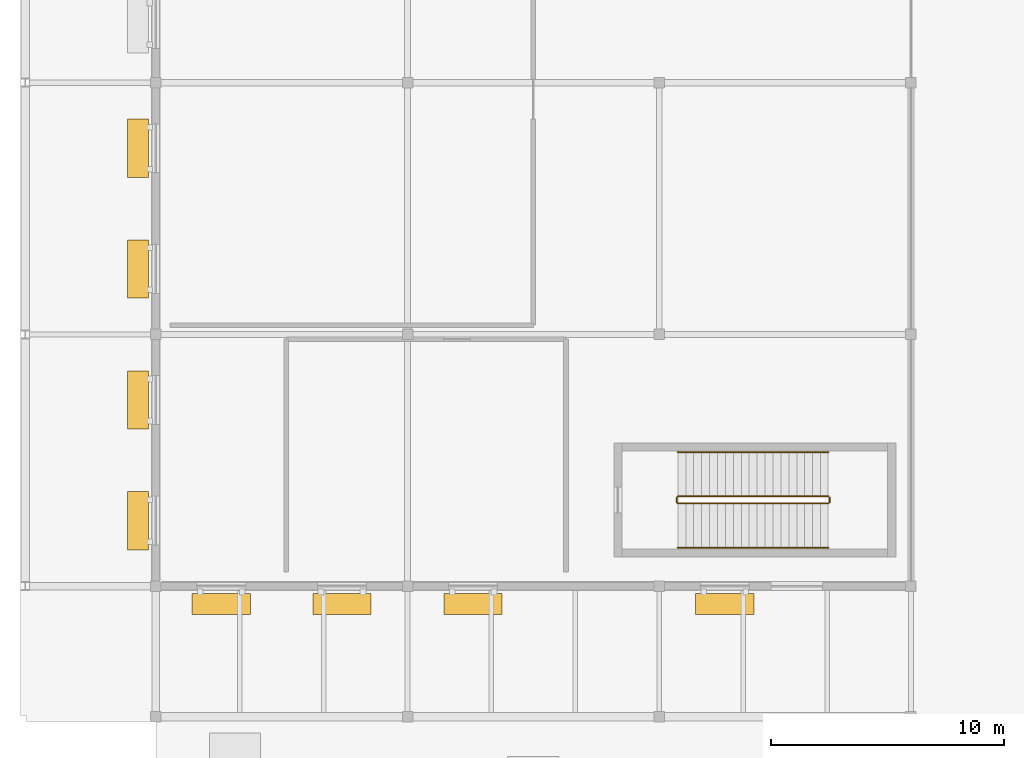
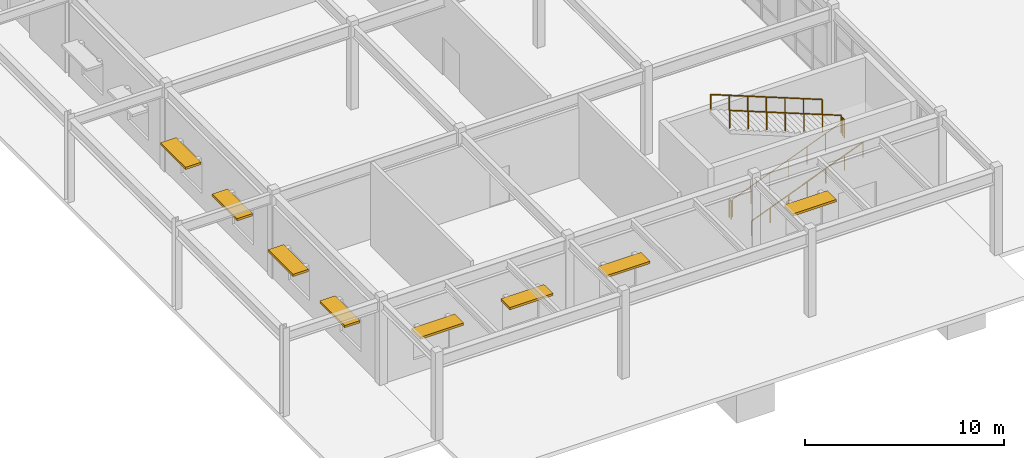
# One storey, part 44 of 54: 8 shading devices, 6 railings.
"""IFC4 building model written with IfcOpenShell, lengths in metres."""

from ifc_helpers import new_model, si_unit, direction, frame, origin, origin_2d, place, context, subcontext, project, spatial, rectangle, circle, extrude, material, type_object, element, save


model = new_model("IFC4")

# Units and contexts
model_context = context("Model", 3, precision=1e-05, world=origin(), true_north=direction((0.0, 1.0)))
body_context = subcontext(model_context, "Body", "Model", "MODEL_VIEW")
ifc_project = project(units=[si_unit("LENGTHUNIT", "METRE"), si_unit("AREAUNIT", "SQUARE_METRE"), si_unit("VOLUMEUNIT", "CUBIC_METRE"), si_unit("PLANEANGLEUNIT", "RADIAN"), si_unit("MASSUNIT", "GRAM", prefix="KILO")], contexts=[model_context])

# Site, building, storey
site_placement = place(None, origin())
site = spatial("IfcSite", under=ifc_project, at=site_placement, CompositionType="ELEMENT")
building_placement = place(site_placement, origin())
building = spatial("IfcBuilding", under=site, at=building_placement, Name="Veldera Park Congress Hotel", CompositionType="ELEMENT")
storey_placement = place(building_placement, origin())
storey = spatial("IfcBuildingStorey", under=building, at=storey_placement, Name="L00", CompositionType="ELEMENT", Elevation=0.0)

# Railings
ifc_material_1 = material(Name="Steel ASTM A992 Gr.50", Category="steel")
railing_type_1 = type_object("IfcRailingType", Name="GRD-ST110", PredefinedType="GUARDRAIL", material=ifc_material_1)
railing_1_placement = place(storey_placement, frame((-55.800048828125, -48.64990234375, 0.135009765625)))
element("IfcRailing", 1, at=railing_1_placement, inside=storey, type_object=railing_type_1, Name="L00 ST8 stair guard 1", PredefinedType="GUARDRAIL", context=body_context, shape_type="SweptSolid", body=[
    extrude(circle(Radius=0.02392578125, at=origin_2d()), frame((0.0, 0.0, 1.076171875), z_axis=(0.929418439274, 0.0, 0.369027593462), x_axis=(0.0, 1.0, 0.0)), (0.0, 0.0, 1.0), 6.950439453125),
    extrude(circle(Radius=0.02099609375, at=origin_2d()), origin(), (0.0, 0.0, 1.0), 1.052001953125),
    extrude(circle(Radius=0.02099609375, at=origin_2d()), frame((1.07666015625, 0.0, 0.427490234375)), (0.0, 0.0, 1.0), 1.052001953125),
    extrude(circle(Radius=0.02099609375, at=origin_2d()), frame((2.1533203125, 0.0, 0.85498046875)), (0.0, 0.0, 1.0), 1.052001953125),
    extrude(circle(Radius=0.02099609375, at=origin_2d()), frame((3.22998046875, 0.0, 1.282470703125)), (0.0, 0.0, 1.0), 1.052001953125),
    extrude(circle(Radius=0.02099609375, at=origin_2d()), frame((4.306640625, 0.0, 1.7099609375)), (0.0, 0.0, 1.0), 1.052001953125),
    extrude(circle(Radius=0.02099609375, at=origin_2d()), frame((5.38330078125, 0.0, 2.137451171875)), (0.0, 0.0, 1.0), 1.052001953125),
    extrude(circle(Radius=0.02099609375, at=origin_2d()), frame((6.4599609375, 0.0, 2.56494140625)), (0.0, 0.0, 1.0), 1.052001953125),
])
railing_2_placement = place(storey_placement, frame((-49.2900390625, -48.60009765625, 2.699951171875)))
element("IfcRailing", 2, at=railing_2_placement, inside=storey, type_object=railing_type_1, Name="L00 ST8 stair guard 2", PredefinedType="GUARDRAIL", context=body_context, shape_type="SweptSolid", body=[
    extrude(circle(Radius=0.02392578125, at=origin_2d()), frame((0.0, 0.0, 1.076171875), z_axis=(0.0, 1.0, 0.0), x_axis=(-1.0, 0.0, 0.0)), (0.0, 0.0, 1.0), 0.2001953125),
    extrude(circle(Radius=0.02099609375, at=origin_2d()), origin(), (0.0, 0.0, 1.0), 1.052001953125),
    extrude(circle(Radius=0.02099609375, at=origin_2d()), frame((0.0, 0.2001953125, 0.0)), (0.0, 0.0, 1.0), 1.052001953125),
])
railing_3_placement = place(storey_placement, frame((-49.340087890625, -48.35009765625, 2.8349609375)))
element("IfcRailing", 3, at=railing_3_placement, inside=storey, type_object=railing_type_1, Name="L00 ST8 stair guard 3", PredefinedType="GUARDRAIL", context=body_context, shape_type="SweptSolid", body=[
    extrude(circle(Radius=0.02392578125, at=origin_2d()), frame((0.0, 0.0, 1.076171875), z_axis=(-0.929418439274, 0.0, 0.369027593462), x_axis=(0.0, -1.0, 0.0)), (0.0, 0.0, 1.0), 6.950439453125),
    extrude(circle(Radius=0.02099609375, at=origin_2d()), origin(), (0.0, 0.0, 1.0), 1.052001953125),
    extrude(circle(Radius=0.02099609375, at=origin_2d()), frame((-1.07666015625, 0.0, 0.427490234375)), (0.0, 0.0, 1.0), 1.052001953125),
    extrude(circle(Radius=0.02099609375, at=origin_2d()), frame((-2.1533203125, 0.0, 0.85498046875)), (0.0, 0.0, 1.0), 1.052001953125),
    extrude(circle(Radius=0.02099609375, at=origin_2d()), frame((-3.22998046875, 0.0, 1.282470703125)), (0.0, 0.0, 1.0), 1.052001953125),
    extrude(circle(Radius=0.02099609375, at=origin_2d()), frame((-4.306640625, 0.0, 1.7099609375)), (0.0, 0.0, 1.0), 1.052001953125),
    extrude(circle(Radius=0.02099609375, at=origin_2d()), frame((-5.38330078125, 0.0, 2.137451171875)), (0.0, 0.0, 1.0), 1.052001953125),
    extrude(circle(Radius=0.02099609375, at=origin_2d()), frame((-6.4599609375, 0.0, 2.56494140625)), (0.0, 0.0, 1.0), 1.052001953125),
])
railing_4_placement = place(storey_placement, frame((-55.85009765625, -48.60009765625, 0.0)))
element("IfcRailing", 4, at=railing_4_placement, inside=storey, type_object=railing_type_1, Name="L00 ST8 stair guard 4", PredefinedType="GUARDRAIL", context=body_context, shape_type="SweptSolid", body=[
    extrude(circle(Radius=0.02392578125, at=origin_2d()), frame((0.0, 0.0, 1.076171875), z_axis=(0.0, 1.0, 0.0), x_axis=(-1.0, 0.0, 0.0)), (0.0, 0.0, 1.0), 0.2001953125),
    extrude(circle(Radius=0.02099609375, at=origin_2d()), origin(), (0.0, 0.0, 1.0), 1.052001953125),
    extrude(circle(Radius=0.02099609375, at=origin_2d()), frame((0.0, 0.2001953125, 0.0)), (0.0, 0.0, 1.0), 1.052001953125),
])
railing_type_2 = type_object("IfcRailingType", Name="HRL-920", PredefinedType="HANDRAIL", material=ifc_material_1)
railing_5_placement = place(storey_placement, frame((-55.800048828125, -50.550048828125, 0.135009765625)))
element("IfcRailing", 5, at=railing_5_placement, inside=storey, type_object=railing_type_2, Name="L00 ST8 stair handrail 1", PredefinedType="HANDRAIL", context=body_context, shape_type="SweptSolid", body=[
    extrude(circle(Radius=0.02392578125, at=origin_2d()), frame((0.0, 0.0, 0.89599609375), z_axis=(0.929418439274, 0.0, 0.369027593462), x_axis=(0.0, 1.0, 0.0)), (0.0, 0.0, 1.0), 6.950439453125),
    extrude(circle(Radius=0.02099609375, at=origin_2d()), origin(), (0.0, 0.0, 1.0), 0.871826171875),
    extrude(circle(Radius=0.02099609375, at=origin_2d()), frame((1.07666015625, 0.0, 0.427490234375)), (0.0, 0.0, 1.0), 0.871826171875),
    extrude(circle(Radius=0.02099609375, at=origin_2d()), frame((2.1533203125, 0.0, 0.85498046875)), (0.0, 0.0, 1.0), 0.871826171875),
    extrude(circle(Radius=0.02099609375, at=origin_2d()), frame((3.22998046875, 0.0, 1.282470703125)), (0.0, 0.0, 1.0), 0.871826171875),
    extrude(circle(Radius=0.02099609375, at=origin_2d()), frame((4.306640625, 0.0, 1.7099609375)), (0.0, 0.0, 1.0), 0.871826171875),
    extrude(circle(Radius=0.02099609375, at=origin_2d()), frame((5.38330078125, 0.0, 2.137451171875)), (0.0, 0.0, 1.0), 0.871826171875),
    extrude(circle(Radius=0.02099609375, at=origin_2d()), frame((6.4599609375, 0.0, 2.56494140625)), (0.0, 0.0, 1.0), 0.871826171875),
])
railing_6_placement = place(storey_placement, frame((-49.340087890625, -46.449951171875, 2.8349609375)))
element("IfcRailing", 6, at=railing_6_placement, inside=storey, type_object=railing_type_2, Name="L00 ST8 stair handrail 2", PredefinedType="HANDRAIL", context=body_context, shape_type="SweptSolid", body=[
    extrude(circle(Radius=0.02392578125, at=origin_2d()), frame((0.0, 0.0, 0.89599609375), z_axis=(-0.929418439274, 0.0, 0.369027593462), x_axis=(0.0, -1.0, 0.0)), (0.0, 0.0, 1.0), 6.950439453125),
    extrude(circle(Radius=0.02099609375, at=origin_2d()), origin(), (0.0, 0.0, 1.0), 0.871826171875),
    extrude(circle(Radius=0.02099609375, at=origin_2d()), frame((-1.07666015625, 0.0, 0.427490234375)), (0.0, 0.0, 1.0), 0.871826171875),
    extrude(circle(Radius=0.02099609375, at=origin_2d()), frame((-2.1533203125, 0.0, 0.85498046875)), (0.0, 0.0, 1.0), 0.871826171875),
    extrude(circle(Radius=0.02099609375, at=origin_2d()), frame((-3.22998046875, 0.0, 1.282470703125)), (0.0, 0.0, 1.0), 0.871826171875),
    extrude(circle(Radius=0.02099609375, at=origin_2d()), frame((-4.306640625, 0.0, 1.7099609375)), (0.0, 0.0, 1.0), 0.871826171875),
    extrude(circle(Radius=0.02099609375, at=origin_2d()), frame((-5.38330078125, 0.0, 2.137451171875)), (0.0, 0.0, 1.0), 0.871826171875),
    extrude(circle(Radius=0.02099609375, at=origin_2d()), frame((-6.4599609375, 0.0, 2.56494140625)), (0.0, 0.0, 1.0), 0.871826171875),
])

# Shading devices
ifc_material_2 = material(Name="Glulam GL28h (NDS 24F-V4)", Category="wood")
shading_device_type = type_object("IfcShadingDeviceType", Name="SHD-SHF450", PredefinedType="AWNING", material=ifc_material_2)
for number, where, z_axis, x_axis, name in (
    (7, (-78.969970703125, -33.41162109375, 2.81005859375), (0.0, 0.0, 1.0), (0.0, -1.0, 0.0), "Glulam Solar Shade 24"),
    (8, (-78.969970703125, -38.58837890625, 2.81005859375), (0.0, 0.0, 1.0), (0.0, -1.0, 0.0), "Glulam Solar Shade 25"),
    (9, (-78.969970703125, -44.21142578125, 2.81005859375), (0.0, 0.0, 1.0), (0.0, -1.0, 0.0), "Glulam Solar Shade 26"),
    (10, (-78.969970703125, -49.388427734375, 2.81005859375), (0.0, 0.0, 1.0), (0.0, -1.0, 0.0), "Glulam Solar Shade 27"),
    (11, (-75.388427734375, -52.969970703125, 2.81005859375), (0.0, 0.0, 1.0), (1.0, 0.0, 0.0), "Glulam Solar Shade 28"),
    (12, (-70.21142578125, -52.969970703125, 2.81005859375), (0.0, 0.0, 1.0), (1.0, 0.0, 0.0), "Glulam Solar Shade 29"),
    (13, (-64.58837890625, -52.969970703125, 2.81005859375), (0.0, 0.0, 1.0), (1.0, 0.0, 0.0), "Glulam Solar Shade 30"),
    (14, (-53.78857421875, -52.969970703125, 2.81005859375), (0.0, 0.0, 1.0), (1.0, 0.0, 0.0), "Glulam Solar Shade 31"),
):
    element("IfcShadingDevice", number, at=place(storey_placement, frame(where, z_axis=z_axis, x_axis=x_axis)), inside=storey, type_object=shading_device_type, Name=name, PredefinedType="AWNING", context=body_context, shape_type="SweptSolid", body=[
        extrude(rectangle(XDim=2.5, YDim=0.89990234375, at=origin_2d()), origin(), (0.0, 0.0, 1.0), 0.139892578125),
    ])

save(model, "model.ifc")
